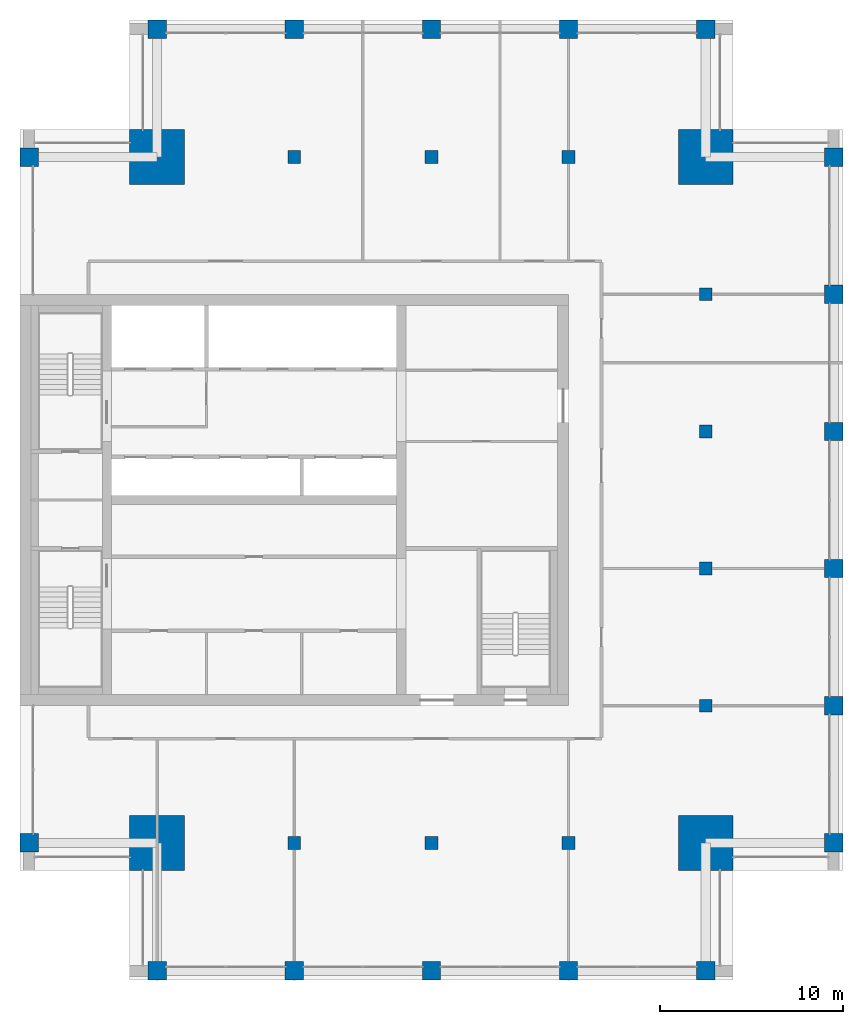
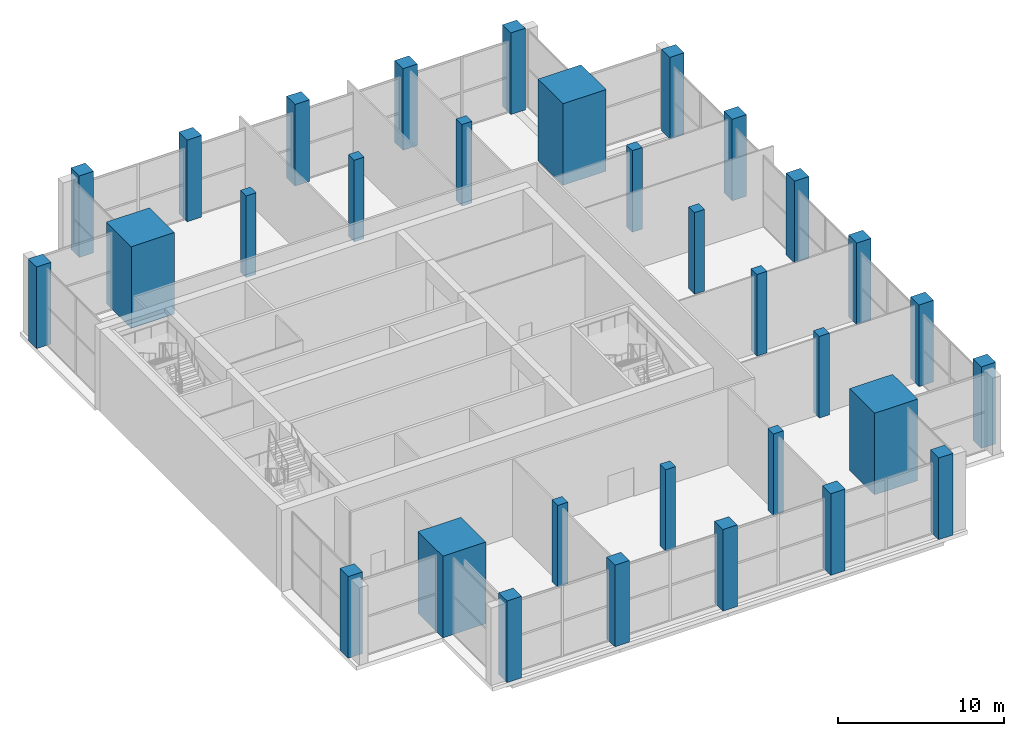
# One storey, part 1 of 15: 32 columns.
"""IFC4 building model written with IfcOpenShell, lengths in metres."""

import ifcopenshell
import ifcopenshell.guid

model = None  # the IFC model being written
_history = None  # IfcOwnerHistory: only IFC2X3 demands one
_inside = {}  # id of a spatial element -> (the spatial element, [elements in it])
_under = {}  # id of a project, library or spatial element -> (it, [spatial elements below it])
_declared = {}  # id of a project -> (the project, [libraries it declares])
_typed = {}  # id of a type object -> (the type object, [elements of that type])
_made_of = {}  # id of a material, layer set ... -> (it, [elements and type objects made of it])


def new_model(schema):
    """Start an empty IFC model of exactly this schema.

    Asked for "IFC4X3", IfcOpenShell would pick the latest addendum, in which some entities
    have other attributes; the version numbers below select the first issue.
    IFC2X3 requires an IfcOwnerHistory on every rooted entity: one is made here for all.
    """
    global model, _history
    if schema == "IFC4X3":
        model = ifcopenshell.file(schema_version=(4, 3, 0, 0))
    else:
        model = ifcopenshell.file(schema=schema)
    _inside.clear()
    _under.clear()
    _declared.clear()
    _typed.clear()
    _made_of.clear()
    _history = None
    if model.schema == "IFC2X3":
        org = make("IfcOrganization", Name="unknown")
        user = make(
            "IfcPersonAndOrganization",
            ThePerson=make("IfcPerson", FamilyName="unknown"),
            TheOrganization=org,
        )
        app = make(
            "IfcApplication",
            ApplicationDeveloper=org,
            Version="unknown",
            ApplicationFullName="unknown",
            ApplicationIdentifier="unknown",
        )
        _history = make(
            "IfcOwnerHistory",
            OwningUser=user,
            OwningApplication=app,
            ChangeAction="ADDED",
            CreationDate=0,
        )
    return model


def make(cls, **values):
    """One entity of the class cls with the attributes given. An attribute that is None is left unset."""
    return model.create_entity(
        cls, **{name: value for name, value in values.items() if value is not None}
    )


def rooted(cls, **values):
    """An entity with a GlobalId (a new one), such as an element, a storey or a relation."""
    return make(cls, GlobalId=ifcopenshell.guid.new(), OwnerHistory=_history, **values)


def si_unit(unit_type, name, prefix=None):
    """IfcSIUnit, for example si_unit("LENGTHUNIT", "METRE", prefix="MILLI")."""
    return make("IfcSIUnit", UnitType=unit_type, Prefix=prefix, Name=name)


def assignment(units):
    """IfcUnitAssignment: the units of a project."""
    return None if units is None else make("IfcUnitAssignment", Units=units)


def point(xyz):
    """IfcCartesianPoint."""
    return None if xyz is None else make("IfcCartesianPoint", Coordinates=xyz)


def direction(xyz):
    """IfcDirection."""
    return None if xyz is None else make("IfcDirection", DirectionRatios=xyz)


def frame(location, z_axis=None, x_axis=None):
    """IfcAxis2Placement3D, a coordinate frame: its origin and axes. An axis left out is left unset."""
    return make(
        "IfcAxis2Placement3D",
        Location=point(location),
        Axis=direction(z_axis),
        RefDirection=direction(x_axis),
    )


def frame_2d(location, x_axis=None):
    """IfcAxis2Placement2D, a coordinate frame in the plane: its origin and x axis."""
    return make(
        "IfcAxis2Placement2D", Location=point(location), RefDirection=direction(x_axis)
    )


def origin():
    """The frame at (0, 0, 0) with its axes left unset."""
    return frame((0.0, 0.0, 0.0))


def origin_2d():
    """The frame at (0, 0) in the plane with its x axis left unset."""
    return frame_2d((0.0, 0.0))


def place(relative_to, where):
    """IfcLocalPlacement: puts the frame where relative to a parent placement (None: the world)."""
    return make(
        "IfcLocalPlacement", PlacementRelTo=relative_to, RelativePlacement=where
    )


def context(
    kind, dimensions, precision=None, world=None, true_north=None, identifier=None
):
    """IfcGeometricRepresentationContext, for example the 3D "Model" context."""
    return make(
        "IfcGeometricRepresentationContext",
        ContextIdentifier=identifier,
        ContextType=kind,
        CoordinateSpaceDimension=dimensions,
        Precision=precision,
        WorldCoordinateSystem=world,
        TrueNorth=true_north,
    )


def subcontext(parent, identifier, kind, view, scale=None):
    """IfcGeometricRepresentationSubContext, for example "Body" below "Model"."""
    return make(
        "IfcGeometricRepresentationSubContext",
        ContextIdentifier=identifier,
        ContextType=kind,
        ParentContext=parent,
        TargetScale=scale,
        TargetView=view,
    )


def project(units=None, contexts=None):
    """IfcProject with its units and contexts."""
    return rooted(
        "IfcProject",
        Name="project",
        RepresentationContexts=contexts,
        UnitsInContext=assignment(units),
    )


def spatial(cls, under=None, at=None, **own):
    """A site, building, storey or space (cls), placed at a placement, below another one or the project."""
    s = rooted(cls, ObjectPlacement=at, **own)
    if under is not None:
        _under.setdefault(under.id(), (under, []))[1].append(s)
    return s


def profile(cls, at=None, kind="AREA", **sizes):
    """A parametric profile (cls). Its sizes go by their IFC names, for example OverallWidth=200.0."""
    return make(cls, ProfileType=kind, Position=at, **sizes)


def rectangle(**sizes):
    """IfcRectangleProfileDef."""
    return profile("IfcRectangleProfileDef", **sizes)


def extrude(swept, where, along, depth):
    """IfcExtrudedAreaSolid: the profile swept, set in the frame where, extruded along a direction by depth."""
    return make(
        "IfcExtrudedAreaSolid",
        SweptArea=swept,
        Position=where,
        ExtrudedDirection=direction(along),
        Depth=depth,
    )


def shape(context_of_items, identifier, shape_type, items):
    """IfcShapeRepresentation: the items that make up one representation, for example the "Body"."""
    return make(
        "IfcShapeRepresentation",
        ContextOfItems=context_of_items,
        RepresentationIdentifier=identifier,
        RepresentationType=shape_type,
        Items=items,
    )


def material(Name=None, Category=None):
    """IfcMaterial."""
    return make("IfcMaterial", Name=Name, Category=Category)


def material_profile(
    of_material, cross_section, Name=None, Category=None, Priority=None
):
    """IfcMaterialProfile: a cross section and its material."""
    return make(
        "IfcMaterialProfile",
        Name=Name,
        Material=of_material,
        Profile=cross_section,
        Priority=Priority,
        Category=Category,
    )


def profile_set(profiles, Name=None, composite=None):
    """IfcMaterialProfileSet."""
    return make(
        "IfcMaterialProfileSet",
        Name=Name,
        MaterialProfiles=profiles,
        CompositeProfile=composite,
    )


def made_of(thing, what):
    """Note that an element or type object is made of a material, layer set ...; save() writes the relation."""
    if what is not None:
        _made_of.setdefault(what.id(), (what, []))[1].append(thing)
    return thing


def type_object(cls, material=None, **own):
    """A type object (cls), such as IfcWallType, which elements share."""
    return made_of(rooted(cls, **own), material)


def element(
    cls,
    number,
    at=None,
    inside=None,
    cuts=None,
    type_object=None,
    material=None,
    context=None,
    identifier="Body",
    shape_type=None,
    held_by="IfcProductDefinitionShape",
    body=None,
    shapes=None,
    **own,
):
    """One element of the class cls, such as IfcWall. Its Tag is "e" and its number.

    at: its placement. inside: the storey or other place that contains it. cuts: it is an
    opening in that element (IfcRelVoidsElement). A single representation is given by context,
    identifier, shape_type and body (its items); several are given by shapes. held_by: the class
    of the entity that holds the representations. save() writes the other relations.
    """
    e = rooted(cls, Tag="e%d" % number, ObjectPlacement=at, **own)
    if body is not None:
        shapes = [shape(context, identifier, shape_type, body)]
    if shapes is not None:
        e.Representation = make(held_by, Representations=shapes)
    if inside is not None:
        _inside.setdefault(inside.id(), (inside, []))[1].append(e)
    if cuts is not None:
        rooted(
            "IfcRelVoidsElement", RelatingBuildingElement=cuts, RelatedOpeningElement=e
        )
    if type_object is not None:
        _typed.setdefault(type_object.id(), (type_object, []))[1].append(e)
    return made_of(e, material)


def aggregate(whole, parts):
    """IfcRelAggregates: a whole, such as a stair, and the parts it consists of."""
    return rooted("IfcRelAggregates", RelatingObject=whole, RelatedObjects=parts)


def save(model, path):
    """Write the relations noted so far, then the file.

    IfcRelAggregates (storeys below a building ...), IfcRelContainedInSpatialStructure (elements
    in a storey), IfcRelDefinesByType, IfcRelAssociatesMaterial and IfcRelDeclares: one each for
    every whole, place, type object, material and project.
    """
    for whole, parts in _under.values():
        aggregate(whole, parts)
    for where, things in _inside.values():
        rooted(
            "IfcRelContainedInSpatialStructure",
            RelatedElements=things,
            RelatingStructure=where,
        )
    for kind, things in _typed.values():
        rooted("IfcRelDefinesByType", RelatedObjects=things, RelatingType=kind)
    for what, things in _made_of.values():
        rooted("IfcRelAssociatesMaterial", RelatedObjects=things, RelatingMaterial=what)
    for by, libraries in _declared.values():
        rooted("IfcRelDeclares", RelatingContext=by, RelatedDefinitions=libraries)
    model.write(path)


model = new_model("IFC4")

# Units and contexts
model_context = context("Model", 3, precision=1e-05, world=origin(), true_north=direction((0.0, 1.0)))
body_context = subcontext(model_context, "Body", "Model", "MODEL_VIEW")
ifc_project = project(units=[si_unit("LENGTHUNIT", "METRE"), si_unit("AREAUNIT", "SQUARE_METRE"), si_unit("VOLUMEUNIT", "CUBIC_METRE"), si_unit("PLANEANGLEUNIT", "RADIAN"), si_unit("MASSUNIT", "GRAM", prefix="KILO")], contexts=[model_context])

# Site, building, storey
site_placement = place(None, origin())
site = spatial("IfcSite", under=ifc_project, at=site_placement, CompositionType="ELEMENT")
building_placement = place(site_placement, origin())
building = spatial("IfcBuilding", under=site, at=building_placement, Name="Tamorin Gate", CompositionType="ELEMENT")
storey_placement = place(building_placement, frame((0.0, 0.0, 302.699951171875)))
storey = spatial("IfcBuildingStorey", under=building, at=storey_placement, Name="L75", CompositionType="ELEMENT", Elevation=302.699951171875)

# Columns
ifc_material = material(Name="Concrete C50/60", Category="concrete")
ifc_material_profile_1 = material_profile(ifc_material, rectangle(XDim=1.0, YDim=1.0, at=origin_2d()), Name="RC 1000x1000")
ifc_profile_set_1 = profile_set([ifc_material_profile_1], Name="Concrete C50/60")
column_type_1 = type_object("IfcColumnType", Name="RC column 1000x1000 C50/60", PredefinedType="COLUMN", material=ifc_profile_set_1)
for number, where, z_axis, x_axis, name in (
    (1, (30.5, 52.5, 0.0), (0.0, 0.0, 1.0), (1.0, 0.0, 0.0), "Ring column L75"),
    (2, (30.5, 90.0, 0.0), (0.0, 0.0, 1.0), (1.0, 0.0, 0.0), "Ring column L75"),
    (3, (37.5, 45.5, 0.0), (0.0, 0.0, 1.0), (1.0, 0.0, 0.0), "Ring column L75"),
    (4, (37.5, 97.0, 0.0), (0.0, 0.0, 1.0), (1.0, 0.0, 0.0), "Ring column L75"),
    (5, (45.0, 45.5, 0.0), (0.0, 0.0, 1.0), (1.0, 0.0, 0.0), "Ring column L75"),
    (6, (45.0, 97.0, 0.0), (0.0, 0.0, 1.0), (1.0, 0.0, 0.0), "Ring column L75"),
    (7, (52.5, 45.5, 0.0), (0.0, 0.0, 1.0), (1.0, 0.0, 0.0), "Ring column L75"),
    (8, (52.5, 97.0, 0.0), (0.0, 0.0, 1.0), (1.0, 0.0, 0.0), "Ring column L75"),
    (9, (60.0, 45.5, 0.0), (0.0, 0.0, 1.0), (1.0, 0.0, 0.0), "Ring column L75"),
    (10, (60.0, 97.0, 0.0), (0.0, 0.0, 1.0), (1.0, 0.0, 0.0), "Ring column L75"),
    (11, (67.5, 45.5, 0.0), (0.0, 0.0, 1.0), (1.0, 0.0, 0.0), "Ring column L75"),
    (12, (67.5, 97.0, 0.0), (0.0, 0.0, 1.0), (1.0, 0.0, 0.0), "Ring column L75"),
    (13, (74.5, 52.5, 0.0), (0.0, 0.0, 1.0), (1.0, 0.0, 0.0), "Ring column L75"),
    (14, (74.5, 60.0, 0.0), (0.0, 0.0, 1.0), (1.0, 0.0, 0.0), "Ring column L75"),
    (15, (74.5, 67.5, 0.0), (0.0, 0.0, 1.0), (1.0, 0.0, 0.0), "Ring column L75"),
    (16, (74.5, 75.0, 0.0), (0.0, 0.0, 1.0), (1.0, 0.0, 0.0), "Ring column L75"),
    (17, (74.5, 82.5, 0.0), (0.0, 0.0, 1.0), (1.0, 0.0, 0.0), "Ring column L75"),
    (18, (74.5, 90.0, 0.0), (0.0, 0.0, 1.0), (1.0, 0.0, 0.0), "Ring column L75"),
):
    element("IfcColumn", number, at=place(storey_placement, frame(where, z_axis=z_axis, x_axis=x_axis)), inside=storey, type_object=column_type_1, Name=name, PredefinedType="COLUMN", context=body_context, shape_type="SweptSolid", body=[
        extrude(rectangle(XDim=1.0, YDim=1.0, at=origin_2d()), origin(), (0.0, 0.0, 1.0), 6.0),
    ])
ifc_material_profile_2 = material_profile(ifc_material, rectangle(XDim=3.0, YDim=3.0, at=origin_2d()), Name="RC 3000x3000")
ifc_profile_set_2 = profile_set([ifc_material_profile_2], Name="Concrete C50/60")
column_type_2 = type_object("IfcColumnType", Name="RC column 3000x3000 C50/60", PredefinedType="COLUMN", material=ifc_profile_set_2)
for number, where, z_axis, x_axis, name in (
    (19, (37.5, 52.5, 0.0), (0.0, 0.0, 1.0), (1.0, 0.0, 0.0), "Mega column SW L75"),
    (20, (67.5, 52.5, 0.0), (0.0, 0.0, 1.0), (1.0, 0.0, 0.0), "Mega column SE L75"),
    (21, (37.5, 90.0, 0.0), (0.0, 0.0, 1.0), (1.0, 0.0, 0.0), "Mega column NW L75"),
    (22, (67.5, 90.0, 0.0), (0.0, 0.0, 1.0), (1.0, 0.0, 0.0), "Mega column NE L75"),
):
    element("IfcColumn", number, at=place(storey_placement, frame(where, z_axis=z_axis, x_axis=x_axis)), inside=storey, type_object=column_type_2, Name=name, PredefinedType="COLUMN", context=body_context, shape_type="SweptSolid", body=[
        extrude(rectangle(XDim=3.0, YDim=3.0, at=origin_2d()), origin(), (0.0, 0.0, 1.0), 6.0),
    ])
ifc_material_profile_3 = material_profile(ifc_material, rectangle(XDim=0.699951171875, YDim=0.699951171875, at=origin_2d()), Name="RC 700x700")
ifc_profile_set_3 = profile_set([ifc_material_profile_3], Name="Concrete C50/60")
column_type_3 = type_object("IfcColumnType", Name="RC column 700x700 C50/60", PredefinedType="COLUMN", material=ifc_profile_set_3)
for number, where, z_axis, x_axis, name in (
    (23, (45.0, 52.5, 0.0), (0.0, 0.0, 1.0), (1.0, 0.0, 0.0), "Interior column L75"),
    (24, (45.0, 90.0, 0.0), (0.0, 0.0, 1.0), (1.0, 0.0, 0.0), "Interior column L75"),
    (25, (52.5, 52.5, 0.0), (0.0, 0.0, 1.0), (1.0, 0.0, 0.0), "Interior column L75"),
    (26, (52.5, 90.0, 0.0), (0.0, 0.0, 1.0), (1.0, 0.0, 0.0), "Interior column L75"),
    (27, (60.0, 52.5, 0.0), (0.0, 0.0, 1.0), (1.0, 0.0, 0.0), "Interior column L75"),
    (28, (60.0, 90.0, 0.0), (0.0, 0.0, 1.0), (1.0, 0.0, 0.0), "Interior column L75"),
    (29, (67.5, 60.0, 0.0), (0.0, 0.0, 1.0), (1.0, 0.0, 0.0), "Interior column L75"),
    (30, (67.5, 67.5, 0.0), (0.0, 0.0, 1.0), (1.0, 0.0, 0.0), "Interior column L75"),
    (31, (67.5, 75.0, 0.0), (0.0, 0.0, 1.0), (1.0, 0.0, 0.0), "Interior column L75"),
    (32, (67.5, 82.5, 0.0), (0.0, 0.0, 1.0), (1.0, 0.0, 0.0), "Interior column L75"),
):
    element("IfcColumn", number, at=place(storey_placement, frame(where, z_axis=z_axis, x_axis=x_axis)), inside=storey, type_object=column_type_3, Name=name, PredefinedType="COLUMN", context=body_context, shape_type="SweptSolid", body=[
        extrude(rectangle(XDim=0.699951171875, YDim=0.699951171875, at=origin_2d()), origin(), (0.0, 0.0, 1.0), 6.0),
    ])

save(model, "model.ifc")
